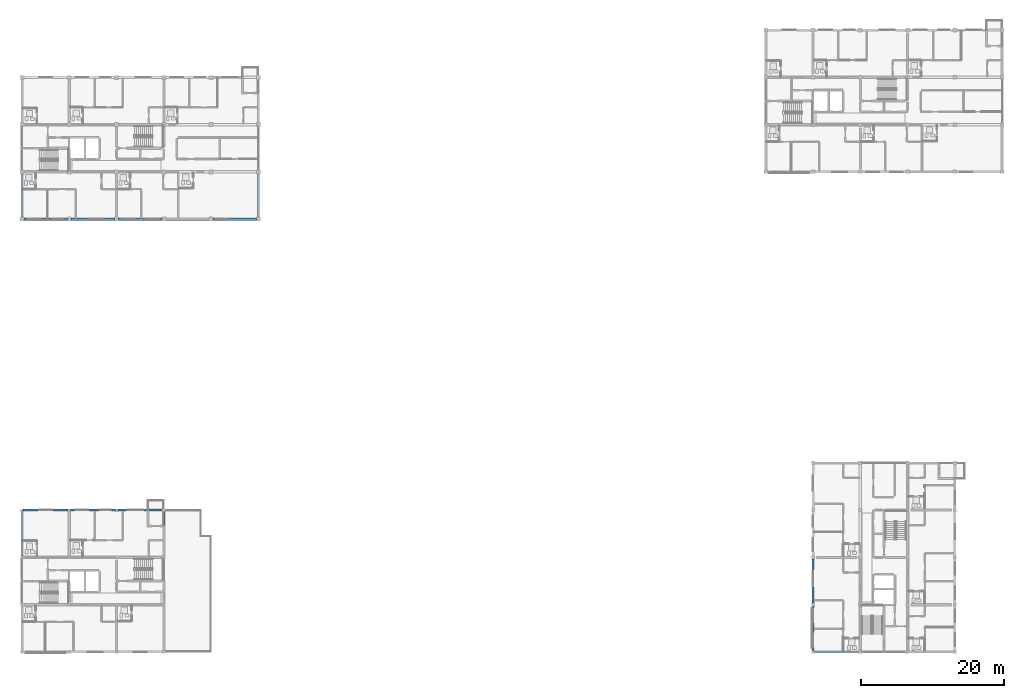
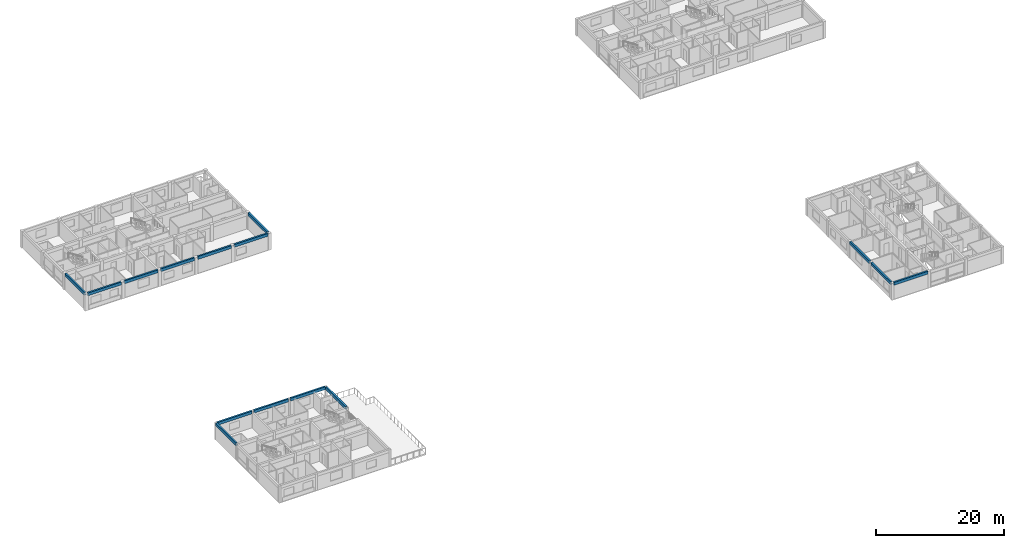
# One storey, part 9 of 46: 15 beams.
"""IFC4 building model written with IfcOpenShell, lengths in metres."""

from ifc_helpers import new_model, si_unit, direction, frame, origin, origin_2d, place, context, subcontext, project, spatial, rectangle, extrude, material, material_profile, profile_set, type_object, element, save


model = new_model("IFC4")

# Units and contexts
model_context = context("Model", 3, precision=1e-05, world=origin(), true_north=direction((0.0, 1.0)))
body_context = subcontext(model_context, "Body", "Model", "MODEL_VIEW")
ifc_project = project(units=[si_unit("LENGTHUNIT", "METRE"), si_unit("AREAUNIT", "SQUARE_METRE"), si_unit("VOLUMEUNIT", "CUBIC_METRE"), si_unit("PLANEANGLEUNIT", "RADIAN"), si_unit("MASSUNIT", "GRAM", prefix="KILO")], contexts=[model_context])

# Site, building, storey
site_placement = place(None, origin())
site = spatial("IfcSite", under=ifc_project, at=site_placement, CompositionType="ELEMENT")
building_placement = place(site_placement, origin())
building = spatial("IfcBuilding", under=site, at=building_placement, Name="Kernevlak Ridge Housing Community", CompositionType="ELEMENT")
storey_placement = place(building_placement, frame((0.0, 0.0, 27.60009765625)))
storey = spatial("IfcBuildingStorey", under=building, at=storey_placement, Name="L08", CompositionType="ELEMENT", Elevation=27.60009765625)

# Beams
ifc_material = material(Name="Concrete C35/45", Category="concrete")
ifc_material_profile = material_profile(ifc_material, rectangle(XDim=0.300048828125, YDim=0.550048828125, at=origin_2d()), Name="RC 300x550")
ifc_profile_set = profile_set([ifc_material_profile], Name="Concrete C35/45")
beam_type = type_object("IfcBeamType", Name="SP-01", PredefinedType="SPANDREL", material=ifc_profile_set)
beam_1_placement = place(storey_placement, frame((15.875, 76.0, 2.9248046875), z_axis=(1.0, 0.0, 0.0), x_axis=(0.0, 1.0, 0.0)))
element("IfcBeam", 1, at=beam_1_placement, inside=storey, type_object=beam_type, Name="Beam SP-01 L08 265", PredefinedType="SPANDREL", context=body_context, shape_type="SweptSolid", body=[
    extrude(rectangle(XDim=0.300048828125, YDim=0.550048828125, at=origin_2d()), origin(), (0.0, 0.0, 1.0), 6.050048828125),
])
beam_2_placement = place(storey_placement, frame((22.47509765625, 76.0, 2.9248046875), z_axis=(1.0, 0.0, 0.0), x_axis=(0.0, 1.0, 0.0)))
element("IfcBeam", 2, at=beam_2_placement, inside=storey, type_object=beam_type, Name="Beam SP-01 L08 266", PredefinedType="SPANDREL", context=body_context, shape_type="SweptSolid", body=[
    extrude(rectangle(XDim=0.300048828125, YDim=0.550048828125, at=origin_2d()), origin(), (0.0, 0.0, 1.0), 6.0498046875),
])
for number, where, z_axis, x_axis, name in (
    (3, (29.074951171875, 76.0, 2.9248046875), (1.0, 0.0, 0.0), (0.0, 1.0, 0.0), "Beam SP-01 L08 267"),
    (4, (35.675048828125, 76.0, 2.9248046875), (1.0, 0.0, 0.0), (0.0, 1.0, 0.0), "Beam SP-01 L08 268"),
    (5, (42.27490234375, 76.0, 2.9248046875), (1.0, 0.0, 0.0), (0.0, 1.0, 0.0), "Beam SP-01 L08 269"),
    (6, (15.60009765625, 76.27490234375, 2.9248046875), (0.0, 1.0, 0.0), (-1.0, 0.0, 0.0), "Beam SP-01 L08 285"),
    (7, (48.60009765625, 76.27490234375, 2.9248046875), (0.0, 1.0, 0.0), (-1.0, 0.0, 0.0), "Beam SP-01 L08 288"),
):
    element("IfcBeam", number, at=place(storey_placement, frame(where, z_axis=z_axis, x_axis=x_axis)), inside=storey, type_object=beam_type, Name=name, PredefinedType="SPANDREL", context=body_context, shape_type="SweptSolid", body=[
        extrude(rectangle(XDim=0.300048828125, YDim=0.550048828125, at=origin_2d()), origin(), (0.0, 0.0, 1.0), 6.050048828125),
    ])
beam_3_placement = place(storey_placement, frame((126.0, 15.824951171875, 2.9248046875), z_axis=(0.0, 1.0, 0.0), x_axis=(-1.0, 0.0, 0.0)))
element("IfcBeam", 8, at=beam_3_placement, inside=storey, type_object=beam_type, Name="Beam SP-01 L08 1178", PredefinedType="SPANDREL", context=body_context, shape_type="SweptSolid", body=[
    extrude(rectangle(XDim=0.300048828125, YDim=0.550048828125, at=origin_2d()), origin(), (0.0, 0.0, 1.0), 6.150146484375),
])
for number, where, z_axis, x_axis, name in (
    (9, (126.0, 22.425048828125, 2.9248046875), (0.0, 1.0, 0.0), (-1.0, 0.0, 0.0), "Beam SP-01 L08 1179"),
    (10, (126.22509765625, 15.60009765625, 2.9248046875), (1.0, 0.0, 0.0), (0.0, 1.0, 0.0), "Beam SP-01 L08 1194"),
):
    element("IfcBeam", number, at=place(storey_placement, frame(where, z_axis=z_axis, x_axis=x_axis)), inside=storey, type_object=beam_type, Name=name, PredefinedType="SPANDREL", context=body_context, shape_type="SweptSolid", body=[
        extrude(rectangle(XDim=0.300048828125, YDim=0.550048828125, at=origin_2d()), origin(), (0.0, 0.0, 1.0), 6.14990234375),
    ])
for number, where, z_axis, x_axis, name in (
    (11, (15.77490234375, 35.39990234375, 2.9248046875), (1.0, 0.0, 0.0), (0.0, 1.0, 0.0), "Beam SP-01 L08 1507"),
    (12, (22.375, 35.39990234375, 2.9248046875), (1.0, 0.0, 0.0), (0.0, 1.0, 0.0), "Beam SP-01 L08 1508"),
    (13, (28.97509765625, 35.39990234375, 2.9248046875), (1.0, 0.0, 0.0), (0.0, 1.0, 0.0), "Beam SP-01 L08 1509"),
    (14, (15.60009765625, 28.97509765625, 2.9248046875), (0.0, 1.0, 0.0), (-1.0, 0.0, 0.0), "Beam SP-01 L08 1512"),
    (15, (35.39990234375, 28.97509765625, 2.9248046875), (0.0, 1.0, 0.0), (-1.0, 0.0, 0.0), "Beam SP-01 L08 1514"),
):
    element("IfcBeam", number, at=place(storey_placement, frame(where, z_axis=z_axis, x_axis=x_axis)), inside=storey, type_object=beam_type, Name=name, PredefinedType="SPANDREL", context=body_context, shape_type="SweptSolid", body=[
        extrude(rectangle(XDim=0.300048828125, YDim=0.550048828125, at=origin_2d()), origin(), (0.0, 0.0, 1.0), 6.25),
    ])

save(model, "model.ifc")
